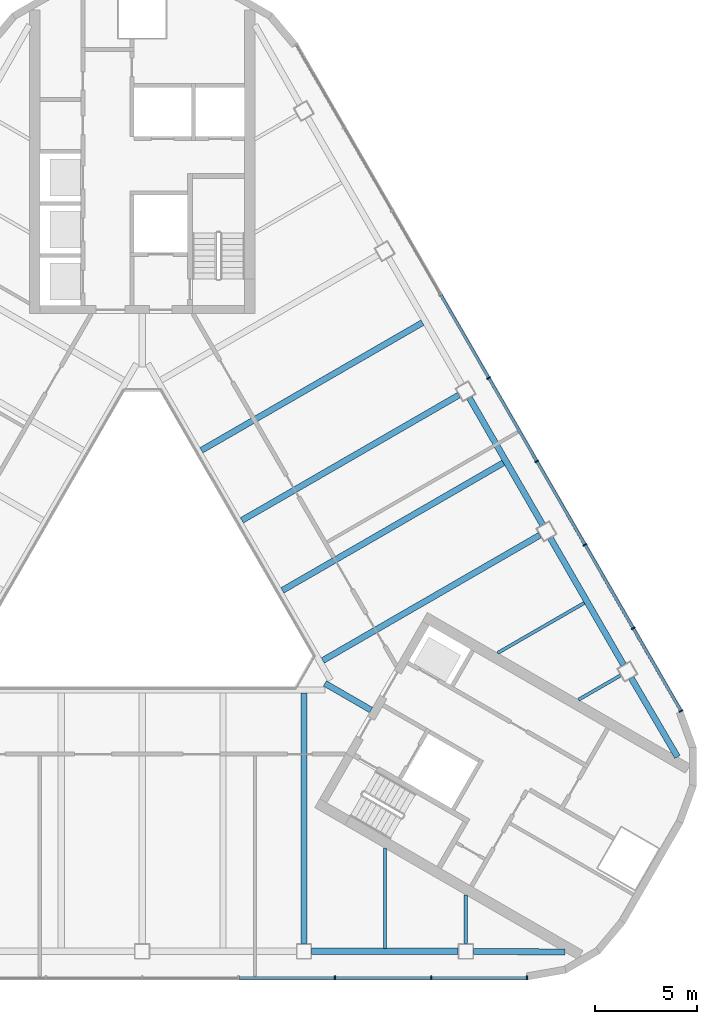
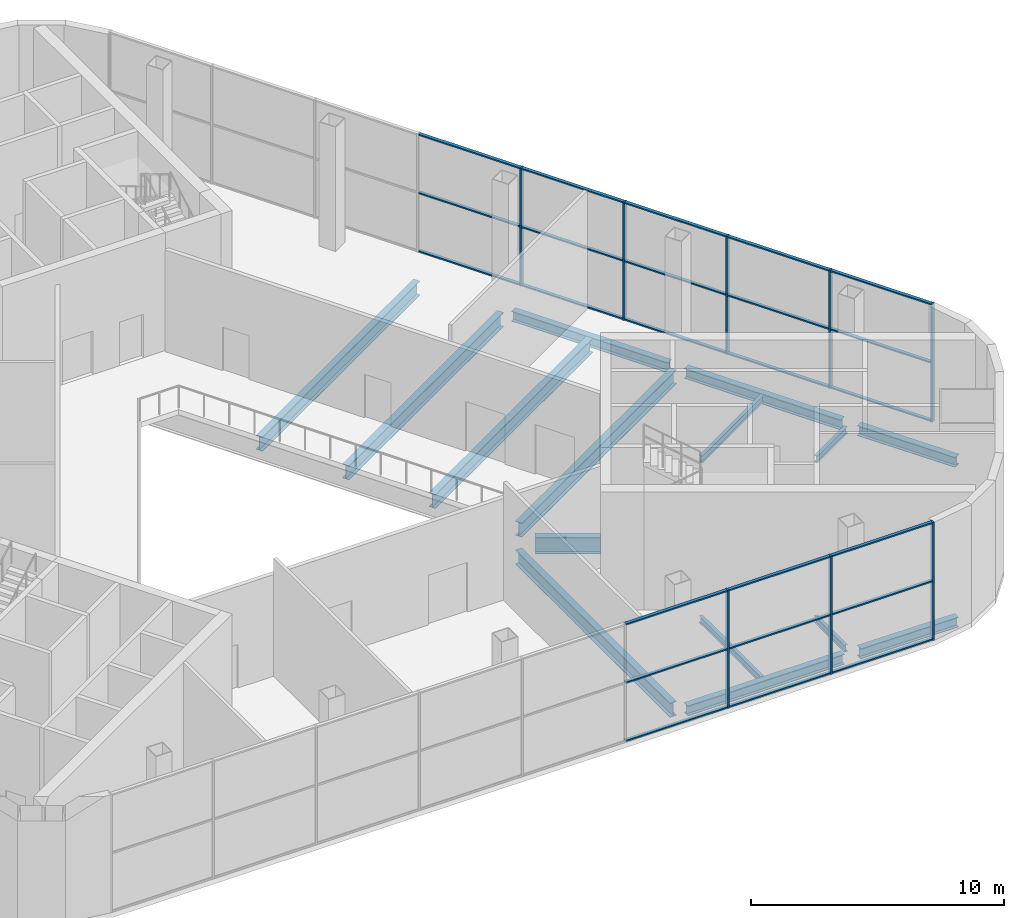
# One storey, part 4 of 14: 32 members, 15 beams, 2 elements without a shape of their own.
"""IFC4 building model written with IfcOpenShell, lengths in metres."""

from ifc_helpers import new_model, si_unit, direction, frame, origin, origin_2d, place, context, subcontext, project, spatial, rectangle, i_section, extrude, material, layer, layer_set, material_profile, profile_set, type_object, element, aggregate, save


model = new_model("IFC4")

# Units and contexts
model_context = context("Model", 3, precision=1e-05, world=origin(), true_north=direction((0.0, 1.0)))
body_context = subcontext(model_context, "Body", "Model", "MODEL_VIEW")
ifc_project = project(units=[si_unit("LENGTHUNIT", "METRE"), si_unit("AREAUNIT", "SQUARE_METRE"), si_unit("VOLUMEUNIT", "CUBIC_METRE"), si_unit("PLANEANGLEUNIT", "RADIAN"), si_unit("MASSUNIT", "GRAM", prefix="KILO")], contexts=[model_context])

# Site, building, storey
site_placement = place(None, origin())
site = spatial("IfcSite", under=ifc_project, at=site_placement, CompositionType="ELEMENT")
building_placement = place(site_placement, origin())
building = spatial("IfcBuilding", under=site, at=building_placement, Name="Apuvela Tower Hotel", CompositionType="ELEMENT")
storey_placement = place(building_placement, frame((0.0, 0.0, 231.699951171875)))
storey = spatial("IfcBuildingStorey", under=building, at=storey_placement, Name="L57", CompositionType="ELEMENT", Elevation=231.699951171875)

# Curtain wall, members
ifc_material_1 = material(Name="Aluminium 6063-T6, dark bronze anodised", Category="aluminium")
ifc_layer = layer(ifc_material_1, 0.199951171875)
ifc_layer_set = layer_set([ifc_layer], Name="ENV-CW-S")
curtain_wall_type = type_object("IfcCurtainWallType", Name="ENV-CW-S", PredefinedType="NOTDEFINED", material=ifc_layer_set)
curtain_wall_1_placement = place(storey_placement, origin())
curtain_wall_1 = element("IfcCurtainWall", 1, at=curtain_wall_1_placement, inside=storey, type_object=curtain_wall_type, Name="Curtain wall CW-S S L57", PredefinedType="NOTDEFINED")
ifc_material_profile_1 = material_profile(ifc_material_1, rectangle(XDim=0.199951171875, YDim=0.06494140625, at=origin_2d()), Name="AL 65x200")
ifc_profile_set_1 = profile_set([ifc_material_profile_1], Name="Aluminium 6063-T6, dark bronze anodised")
member_type_1 = type_object("IfcMemberType", Name="ENV-MULLION-65x200", PredefinedType="MULLION", material=ifc_profile_set_1)
member_1_placement = place(storey_placement, frame((9.407958984375, -19.530029296875, 0.0), z_axis=(0.0, 0.0, 1.0), x_axis=(0.0, 1.0, 0.0)))
member_1 = element("IfcMember", 2, at=member_1_placement, type_object=member_type_1, Name="CW-S mullion 7", PredefinedType="MULLION", context=body_context, shape_type="SweptSolid", body=[
    extrude(rectangle(XDim=0.199951171875, YDim=0.06494140625, at=origin_2d()), origin(), (0.0, 0.0, 1.0), 5.699951171875),
])
member_2_placement = place(storey_placement, frame((14.11181640625, -19.530029296875, 0.0), z_axis=(0.0, 0.0, 1.0), x_axis=(0.0, 1.0, 0.0)))
member_2 = element("IfcMember", 3, at=member_2_placement, type_object=member_type_1, Name="CW-S mullion 8", PredefinedType="MULLION", context=body_context, shape_type="SweptSolid", body=[
    extrude(rectangle(XDim=0.199951171875, YDim=0.06494140625, at=origin_2d()), origin(), (0.0, 0.0, 1.0), 5.699951171875),
])
member_3_placement = place(storey_placement, frame((18.783203125, -19.530029296875, 0.0), z_axis=(0.0, 0.0, 1.0), x_axis=(0.0, 1.0, 0.0)))
member_3 = element("IfcMember", 4, at=member_3_placement, type_object=member_type_1, Name="CW-S mullion 9", PredefinedType="MULLION", context=body_context, shape_type="SweptSolid", body=[
    extrude(rectangle(XDim=0.199951171875, YDim=0.06494140625, at=origin_2d()), origin(), (0.0, 0.0, 1.0), 5.699951171875),
])

curtain_wall_2_placement = place(storey_placement, origin())
curtain_wall_2 = element("IfcCurtainWall", 5, at=curtain_wall_2_placement, inside=storey, type_object=curtain_wall_type, Name="Curtain wall CW-S NE L57", PredefinedType="NOTDEFINED")
member_4_placement = place(storey_placement, frame((26.30517578125, -6.501953125, 0.0), z_axis=(0.0, 0.0, 1.0), x_axis=(-0.866025924721, -0.49999909771, 0.0)))
member_4 = element("IfcMember", 6, at=member_4_placement, type_object=member_type_1, Name="CW-S mullion 1", PredefinedType="MULLION", context=body_context, shape_type="SweptSolid", body=[
    extrude(rectangle(XDim=0.199951171875, YDim=0.06494140625, at=origin_2d()), origin(), (0.0, 0.0, 1.0), 5.699951171875),
])
member_5_placement = place(storey_placement, frame((23.969482421875, -2.456298828125, 0.0), z_axis=(0.0, 0.0, 1.0), x_axis=(-0.866025924721, -0.49999909771, 0.0)))
member_5 = element("IfcMember", 7, at=member_5_placement, type_object=member_type_1, Name="CW-S mullion 2", PredefinedType="MULLION", context=body_context, shape_type="SweptSolid", body=[
    extrude(rectangle(XDim=0.199951171875, YDim=0.06494140625, at=origin_2d()), origin(), (0.0, 0.0, 1.0), 5.699951171875),
])
member_6_placement = place(storey_placement, frame((21.617431640625, 1.617431640625, 0.0), z_axis=(0.0, 0.0, 1.0), x_axis=(-0.866025924721, -0.49999909771, 0.0)))
member_6 = element("IfcMember", 8, at=member_6_placement, type_object=member_type_1, Name="CW-S mullion 3", PredefinedType="MULLION", context=body_context, shape_type="SweptSolid", body=[
    extrude(rectangle(XDim=0.199951171875, YDim=0.06494140625, at=origin_2d()), origin(), (0.0, 0.0, 1.0), 5.699951171875),
])
member_7_placement = place(storey_placement, frame((19.265380859375, 5.691162109375, 0.0), z_axis=(0.0, 0.0, 1.0), x_axis=(-0.866025924721, -0.49999909771, 0.0)))
member_7 = element("IfcMember", 9, at=member_7_placement, type_object=member_type_1, Name="CW-S mullion 4", PredefinedType="MULLION", context=body_context, shape_type="SweptSolid", body=[
    extrude(rectangle(XDim=0.199951171875, YDim=0.06494140625, at=origin_2d()), origin(), (0.0, 0.0, 1.0), 5.699951171875),
])
member_8_placement = place(storey_placement, frame((16.91357421875, 9.764892578125, 0.0), z_axis=(0.0, 0.0, 1.0), x_axis=(-0.866025924721, -0.49999909771, 0.0)))
member_8 = element("IfcMember", 10, at=member_8_placement, type_object=member_type_1, Name="CW-S mullion 5", PredefinedType="MULLION", context=body_context, shape_type="SweptSolid", body=[
    extrude(rectangle(XDim=0.199951171875, YDim=0.06494140625, at=origin_2d()), origin(), (0.0, 0.0, 1.0), 5.699951171875),
])

# Member
ifc_material_profile_2 = material_profile(ifc_material_1, rectangle(XDim=0.14990234375, YDim=0.06494140625, at=origin_2d()), Name="AL 65x150 transom")
ifc_profile_set_2 = profile_set([ifc_material_profile_2], Name="Aluminium 6063-T6, dark bronze anodised")
member_type_2 = type_object("IfcMemberType", Name="ENV-TRANSOM-65x150", PredefinedType="USERDEFINED", material=ifc_profile_set_2)
member_9_placement = place(storey_placement, frame((4.736328125, -19.530029296875, 0.032470703125), z_axis=(1.0, 0.0, 0.0), x_axis=(0.0, 1.0, 0.0)))
member_9 = element("IfcMember", 11, at=member_9_placement, type_object=member_type_2, Name="CW-S transom 6.1", ObjectType="TRANSOM", PredefinedType="USERDEFINED", context=body_context, shape_type="SweptSolid", body=[
    extrude(rectangle(XDim=0.14990234375, YDim=0.06494140625, at=origin_2d()), origin(), (0.0, 0.0, 1.0), 4.63916015625),
])

member_10_placement = place(storey_placement, frame((4.736328125, -19.530029296875, 2.85009765625), z_axis=(1.0, 0.0, 0.0), x_axis=(0.0, 1.0, 0.0)))
member_10 = element("IfcMember", 12, at=member_10_placement, type_object=member_type_2, Name="CW-S transom 6.2", ObjectType="TRANSOM", PredefinedType="USERDEFINED", context=body_context, shape_type="SweptSolid", body=[
    extrude(rectangle(XDim=0.14990234375, YDim=0.06494140625, at=origin_2d()), origin(), (0.0, 0.0, 1.0), 4.63916015625),
])

member_11_placement = place(storey_placement, frame((4.736328125, -19.530029296875, 5.66748046875), z_axis=(1.0, 0.0, 0.0), x_axis=(0.0, 1.0, 0.0)))
member_11 = element("IfcMember", 13, at=member_11_placement, type_object=member_type_2, Name="CW-S transom 6.3", ObjectType="TRANSOM", PredefinedType="USERDEFINED", context=body_context, shape_type="SweptSolid", body=[
    extrude(rectangle(XDim=0.14990234375, YDim=0.06494140625, at=origin_2d()), origin(), (0.0, 0.0, 1.0), 4.63916015625),
])

member_12_placement = place(storey_placement, frame((9.4404296875, -19.530029296875, 0.032470703125), z_axis=(1.0, 0.0, 0.0), x_axis=(0.0, 1.0, 0.0)))
member_12 = element("IfcMember", 14, at=member_12_placement, type_object=member_type_2, Name="CW-S transom 7.1", ObjectType="TRANSOM", PredefinedType="USERDEFINED", context=body_context, shape_type="SweptSolid", body=[
    extrude(rectangle(XDim=0.14990234375, YDim=0.06494140625, at=origin_2d()), origin(), (0.0, 0.0, 1.0), 4.638916015625),
])

member_13_placement = place(storey_placement, frame((9.4404296875, -19.530029296875, 2.85009765625), z_axis=(1.0, 0.0, 0.0), x_axis=(0.0, 1.0, 0.0)))
member_13 = element("IfcMember", 15, at=member_13_placement, type_object=member_type_2, Name="CW-S transom 7.2", ObjectType="TRANSOM", PredefinedType="USERDEFINED", context=body_context, shape_type="SweptSolid", body=[
    extrude(rectangle(XDim=0.14990234375, YDim=0.06494140625, at=origin_2d()), origin(), (0.0, 0.0, 1.0), 4.638916015625),
])

member_14_placement = place(storey_placement, frame((9.4404296875, -19.530029296875, 5.66748046875), z_axis=(1.0, 0.0, 0.0), x_axis=(0.0, 1.0, 0.0)))
member_14 = element("IfcMember", 16, at=member_14_placement, type_object=member_type_2, Name="CW-S transom 7.3", ObjectType="TRANSOM", PredefinedType="USERDEFINED", context=body_context, shape_type="SweptSolid", body=[
    extrude(rectangle(XDim=0.14990234375, YDim=0.06494140625, at=origin_2d()), origin(), (0.0, 0.0, 1.0), 4.638916015625),
])

member_15_placement = place(storey_placement, frame((14.144287109375, -19.530029296875, 0.032470703125), z_axis=(1.0, 0.0, 0.0), x_axis=(0.0, 1.0, 0.0)))
member_15 = element("IfcMember", 17, at=member_15_placement, type_object=member_type_2, Name="CW-S transom 8.1", ObjectType="TRANSOM", PredefinedType="USERDEFINED", context=body_context, shape_type="SweptSolid", body=[
    extrude(rectangle(XDim=0.14990234375, YDim=0.06494140625, at=origin_2d()), origin(), (0.0, 0.0, 1.0), 4.6064453125),
])

member_16_placement = place(storey_placement, frame((14.144287109375, -19.530029296875, 2.85009765625), z_axis=(1.0, 0.0, 0.0), x_axis=(0.0, 1.0, 0.0)))
member_16 = element("IfcMember", 18, at=member_16_placement, type_object=member_type_2, Name="CW-S transom 8.2", ObjectType="TRANSOM", PredefinedType="USERDEFINED", context=body_context, shape_type="SweptSolid", body=[
    extrude(rectangle(XDim=0.14990234375, YDim=0.06494140625, at=origin_2d()), origin(), (0.0, 0.0, 1.0), 4.6064453125),
])

member_17_placement = place(storey_placement, frame((14.144287109375, -19.530029296875, 5.66748046875), z_axis=(1.0, 0.0, 0.0), x_axis=(0.0, 1.0, 0.0)))
member_17 = element("IfcMember", 19, at=member_17_placement, type_object=member_type_2, Name="CW-S transom 8.3", ObjectType="TRANSOM", PredefinedType="USERDEFINED", context=body_context, shape_type="SweptSolid", body=[
    extrude(rectangle(XDim=0.14990234375, YDim=0.06494140625, at=origin_2d()), origin(), (0.0, 0.0, 1.0), 4.6064453125),
])

aggregate(curtain_wall_1, [member_1, member_2, member_3, member_9, member_10, member_11, member_12, member_13, member_14, member_15, member_16, member_17])

member_18_placement = place(storey_placement, frame((26.288818359375, -6.4736328125, 0.032470703125), z_axis=(-0.500003839917, 0.866023186796, 0.0), x_axis=(-0.866023186796, -0.500003839917, 0.0)))
member_18 = element("IfcMember", 20, at=member_18_placement, type_object=member_type_2, Name="CW-S transom 1.1", ObjectType="TRANSOM", PredefinedType="USERDEFINED", context=body_context, shape_type="SweptSolid", body=[
    extrude(rectangle(XDim=0.14990234375, YDim=0.06494140625, at=origin_2d()), origin(), (0.0, 0.0, 1.0), 4.6064453125),
])

member_19_placement = place(storey_placement, frame((26.288818359375, -6.4736328125, 2.85009765625), z_axis=(-0.500003839917, 0.866023186796, 0.0), x_axis=(-0.866023186796, -0.500003839917, 0.0)))
member_19 = element("IfcMember", 21, at=member_19_placement, type_object=member_type_2, Name="CW-S transom 1.2", ObjectType="TRANSOM", PredefinedType="USERDEFINED", context=body_context, shape_type="SweptSolid", body=[
    extrude(rectangle(XDim=0.14990234375, YDim=0.06494140625, at=origin_2d()), origin(), (0.0, 0.0, 1.0), 4.6064453125),
])

member_20_placement = place(storey_placement, frame((26.288818359375, -6.4736328125, 5.66748046875), z_axis=(-0.500003839917, 0.866023186796, 0.0), x_axis=(-0.866023186796, -0.500003839917, 0.0)))
member_20 = element("IfcMember", 22, at=member_20_placement, type_object=member_type_2, Name="CW-S transom 1.3", ObjectType="TRANSOM", PredefinedType="USERDEFINED", context=body_context, shape_type="SweptSolid", body=[
    extrude(rectangle(XDim=0.14990234375, YDim=0.06494140625, at=origin_2d()), origin(), (0.0, 0.0, 1.0), 4.6064453125),
])

member_21_placement = place(storey_placement, frame((23.953125, -2.42822265625, 0.032470703125), z_axis=(-0.49996542187, 0.866045366557, 0.0), x_axis=(-0.866045366557, -0.49996542187, 0.0)))
member_21 = element("IfcMember", 23, at=member_21_placement, type_object=member_type_2, Name="CW-S transom 2.1", ObjectType="TRANSOM", PredefinedType="USERDEFINED", context=body_context, shape_type="SweptSolid", body=[
    extrude(rectangle(XDim=0.14990234375, YDim=0.06494140625, at=origin_2d()), origin(), (0.0, 0.0, 1.0), 4.638916015625),
])

member_22_placement = place(storey_placement, frame((23.953125, -2.42822265625, 2.85009765625), z_axis=(-0.49996542187, 0.866045366557, 0.0), x_axis=(-0.866045366557, -0.49996542187, 0.0)))
member_22 = element("IfcMember", 24, at=member_22_placement, type_object=member_type_2, Name="CW-S transom 2.2", ObjectType="TRANSOM", PredefinedType="USERDEFINED", context=body_context, shape_type="SweptSolid", body=[
    extrude(rectangle(XDim=0.14990234375, YDim=0.06494140625, at=origin_2d()), origin(), (0.0, 0.0, 1.0), 4.638916015625),
])

member_23_placement = place(storey_placement, frame((23.953125, -2.42822265625, 5.66748046875), z_axis=(-0.49996542187, 0.866045366557, 0.0), x_axis=(-0.866045366557, -0.49996542187, 0.0)))
member_23 = element("IfcMember", 25, at=member_23_placement, type_object=member_type_2, Name="CW-S transom 2.3", ObjectType="TRANSOM", PredefinedType="USERDEFINED", context=body_context, shape_type="SweptSolid", body=[
    extrude(rectangle(XDim=0.14990234375, YDim=0.06494140625, at=origin_2d()), origin(), (0.0, 0.0, 1.0), 4.638916015625),
])

member_24_placement = place(storey_placement, frame((21.601318359375, 1.645751953125, 0.032470703125), z_axis=(-0.500027682067, 0.866009420946, 0.0), x_axis=(-0.866009420946, -0.500027682067, 0.0)))
member_24 = element("IfcMember", 26, at=member_24_placement, type_object=member_type_2, Name="CW-S transom 3.1", ObjectType="TRANSOM", PredefinedType="USERDEFINED", context=body_context, shape_type="SweptSolid", body=[
    extrude(rectangle(XDim=0.14990234375, YDim=0.06494140625, at=origin_2d()), origin(), (0.0, 0.0, 1.0), 4.638916015625),
])

member_25_placement = place(storey_placement, frame((21.601318359375, 1.645751953125, 2.85009765625), z_axis=(-0.500027682067, 0.866009420946, 0.0), x_axis=(-0.866009420946, -0.500027682067, 0.0)))
member_25 = element("IfcMember", 27, at=member_25_placement, type_object=member_type_2, Name="CW-S transom 3.2", ObjectType="TRANSOM", PredefinedType="USERDEFINED", context=body_context, shape_type="SweptSolid", body=[
    extrude(rectangle(XDim=0.14990234375, YDim=0.06494140625, at=origin_2d()), origin(), (0.0, 0.0, 1.0), 4.638916015625),
])

member_26_placement = place(storey_placement, frame((21.601318359375, 1.645751953125, 5.66748046875), z_axis=(-0.500027682067, 0.866009420946, 0.0), x_axis=(-0.866009420946, -0.500027682067, 0.0)))
member_26 = element("IfcMember", 28, at=member_26_placement, type_object=member_type_2, Name="CW-S transom 3.3", ObjectType="TRANSOM", PredefinedType="USERDEFINED", context=body_context, shape_type="SweptSolid", body=[
    extrude(rectangle(XDim=0.14990234375, YDim=0.06494140625, at=origin_2d()), origin(), (0.0, 0.0, 1.0), 4.638916015625),
])

member_27_placement = place(storey_placement, frame((19.249267578125, 5.719482421875, 0.032470703125), z_axis=(-0.500027682067, 0.866009420946, 0.0), x_axis=(-0.866009420946, -0.500027682067, 0.0)))
member_27 = element("IfcMember", 29, at=member_27_placement, type_object=member_type_2, Name="CW-S transom 4.1", ObjectType="TRANSOM", PredefinedType="USERDEFINED", context=body_context, shape_type="SweptSolid", body=[
    extrude(rectangle(XDim=0.14990234375, YDim=0.06494140625, at=origin_2d()), origin(), (0.0, 0.0, 1.0), 4.638916015625),
])

member_28_placement = place(storey_placement, frame((19.249267578125, 5.719482421875, 2.85009765625), z_axis=(-0.500027682067, 0.866009420946, 0.0), x_axis=(-0.866009420946, -0.500027682067, 0.0)))
member_28 = element("IfcMember", 30, at=member_28_placement, type_object=member_type_2, Name="CW-S transom 4.2", ObjectType="TRANSOM", PredefinedType="USERDEFINED", context=body_context, shape_type="SweptSolid", body=[
    extrude(rectangle(XDim=0.14990234375, YDim=0.06494140625, at=origin_2d()), origin(), (0.0, 0.0, 1.0), 4.638916015625),
])

member_29_placement = place(storey_placement, frame((19.249267578125, 5.719482421875, 5.66748046875), z_axis=(-0.500027682067, 0.866009420946, 0.0), x_axis=(-0.866009420946, -0.500027682067, 0.0)))
member_29 = element("IfcMember", 31, at=member_29_placement, type_object=member_type_2, Name="CW-S transom 4.3", ObjectType="TRANSOM", PredefinedType="USERDEFINED", context=body_context, shape_type="SweptSolid", body=[
    extrude(rectangle(XDim=0.14990234375, YDim=0.06494140625, at=origin_2d()), origin(), (0.0, 0.0, 1.0), 4.638916015625),
])

member_30_placement = place(storey_placement, frame((16.897216796875, 9.793212890625, 0.032470703125), z_axis=(-0.499988210251, 0.866032210492, 0.0), x_axis=(-0.866032210492, -0.499988210251, 0.0)))
member_30 = element("IfcMember", 32, at=member_30_placement, type_object=member_type_2, Name="CW-S transom 5.1", ObjectType="TRANSOM", PredefinedType="USERDEFINED", context=body_context, shape_type="SweptSolid", body=[
    extrude(rectangle(XDim=0.14990234375, YDim=0.06494140625, at=origin_2d()), origin(), (0.0, 0.0, 1.0), 4.638671875),
])

member_31_placement = place(storey_placement, frame((16.897216796875, 9.793212890625, 2.85009765625), z_axis=(-0.499988210251, 0.866032210492, 0.0), x_axis=(-0.866032210492, -0.499988210251, 0.0)))
member_31 = element("IfcMember", 33, at=member_31_placement, type_object=member_type_2, Name="CW-S transom 5.2", ObjectType="TRANSOM", PredefinedType="USERDEFINED", context=body_context, shape_type="SweptSolid", body=[
    extrude(rectangle(XDim=0.14990234375, YDim=0.06494140625, at=origin_2d()), origin(), (0.0, 0.0, 1.0), 4.638671875),
])

member_32_placement = place(storey_placement, frame((16.897216796875, 9.793212890625, 5.66748046875), z_axis=(-0.499988210251, 0.866032210492, 0.0), x_axis=(-0.866032210492, -0.499988210251, 0.0)))
member_32 = element("IfcMember", 34, at=member_32_placement, type_object=member_type_2, Name="CW-S transom 5.3", ObjectType="TRANSOM", PredefinedType="USERDEFINED", context=body_context, shape_type="SweptSolid", body=[
    extrude(rectangle(XDim=0.14990234375, YDim=0.06494140625, at=origin_2d()), origin(), (0.0, 0.0, 1.0), 4.638671875),
])

aggregate(curtain_wall_2, [member_4, member_5, member_6, member_7, member_8, member_18, member_19, member_20, member_21, member_22, member_23, member_24, member_25, member_26, member_27, member_28, member_29, member_30, member_31, member_32])

# Beams
ifc_material_2 = material(Name="Steel S355", Category="steel")
ifc_material_profile_3 = material_profile(ifc_material_2, i_section(OverallWidth=0.300048828125, OverallDepth=0.68994140625, WebThickness=0.014404296875, FlangeThickness=0.027099609375, at=origin_2d()), Name="HE 700 A")
ifc_profile_set_3 = profile_set([ifc_material_profile_3], Name="Steel S355")
beam_type_1 = type_object("IfcBeamType", Name="STR-B floor beam HE 700 A", PredefinedType="BEAM", material=ifc_profile_set_3)
beam_1_placement = place(storey_placement, frame((19.412841796875, 2.0859375, -0.594970703125), z_axis=(-0.866025418325, -0.499999974815, 0.0), x_axis=(0.499999974815, -0.866025418325, 0.0)))
element("IfcBeam", 35, at=beam_1_placement, inside=storey, type_object=beam_type_1, Name="Floor beam B6 NE3", PredefinedType="BEAM", context=body_context, shape_type="SweptSolid", body=[
    extrude(i_section(OverallWidth=0.300048828125, OverallDepth=0.68994140625, WebThickness=0.014404296875, FlangeThickness=0.027099609375, at=origin_2d()), origin(), (0.0, 0.0, 1.0), 12.23486328125),
])
beam_2_placement = place(storey_placement, frame((17.6328125, 5.619140625, -0.594970703125), z_axis=(-0.866027987673, -0.499995524547, 0.0), x_axis=(0.499995524547, -0.866027987673, 0.0)))
element("IfcBeam", 36, at=beam_2_placement, inside=storey, type_object=beam_type_1, Name="Floor beam B6 NE4", PredefinedType="BEAM", context=body_context, shape_type="SweptSolid", body=[
    extrude(i_section(OverallWidth=0.300048828125, OverallDepth=0.68994140625, WebThickness=0.014404296875, FlangeThickness=0.027099609375, at=origin_2d()), origin(), (0.0, 0.0, 1.0), 12.4599609375),
])
beam_3_placement = place(storey_placement, frame((15.462890625, 8.927490234375, -0.594970703125), z_axis=(-0.866025418325, -0.499999974815, 0.0), x_axis=(0.499999974815, -0.866025418325, 0.0)))
element("IfcBeam", 37, at=beam_3_placement, inside=storey, type_object=beam_type_1, Name="Floor beam B6 NE5", PredefinedType="BEAM", context=body_context, shape_type="SweptSolid", body=[
    extrude(i_section(OverallWidth=0.300048828125, OverallDepth=0.68994140625, WebThickness=0.014404296875, FlangeThickness=0.027099609375, at=origin_2d()), origin(), (0.0, 0.0, 1.0), 12.23486328125),
])
beam_4_placement = place(storey_placement, frame((13.6826171875, 12.460693359375, -0.594970703125), z_axis=(-0.866023089177, -0.500004008996, 0.0), x_axis=(0.500004008996, -0.866023089177, 0.0)))
element("IfcBeam", 38, at=beam_4_placement, inside=storey, type_object=beam_type_1, Name="Floor beam B6 NE6", PredefinedType="BEAM", context=body_context, shape_type="SweptSolid", body=[
    extrude(i_section(OverallWidth=0.300048828125, OverallDepth=0.68994140625, WebThickness=0.014404296875, FlangeThickness=0.027099609375, at=origin_2d()), origin(), (0.0, 0.0, 1.0), 12.4599609375),
])
beam_5_placement = place(storey_placement, frame((7.89990234375, -17.85498046875, -0.594970703125), z_axis=(0.0, 1.0, 0.0), x_axis=(-1.0, 0.0, 0.0)))
element("IfcBeam", 39, at=beam_5_placement, inside=storey, type_object=beam_type_1, Name="Floor beam B6 S7", PredefinedType="BEAM", context=body_context, shape_type="SweptSolid", body=[
    extrude(i_section(OverallWidth=0.300048828125, OverallDepth=0.68994140625, WebThickness=0.014404296875, FlangeThickness=0.027099609375, at=origin_2d()), origin(), (0.0, 0.0, 1.0), 12.23486328125),
])
ifc_material_profile_4 = material_profile(ifc_material_2, i_section(OverallWidth=0.159912109375, OverallDepth=0.330078125, WebThickness=0.007568359375, FlangeThickness=0.011474609375, at=origin_2d()), Name="IPE 330")
ifc_profile_set_4 = profile_set([ifc_material_profile_4], Name="Steel S355")
beam_type_2 = type_object("IfcBeamType", Name="STR-B floor beam IPE 330", PredefinedType="BEAM", material=ifc_profile_set_4)
beam_6_placement = place(storey_placement, frame((23.36279296875, -4.755615234375, -0.4150390625), z_axis=(-0.865982457891, -0.500074377092, 0.0), x_axis=(0.500074377092, -0.865982457891, 0.0)))
element("IfcBeam", 40, at=beam_6_placement, inside=storey, type_object=beam_type_2, Name="Floor beam B1 NE1", PredefinedType="BEAM", context=body_context, shape_type="SweptSolid", body=[
    extrude(i_section(OverallWidth=0.159912109375, OverallDepth=0.330078125, WebThickness=0.007568359375, FlangeThickness=0.011474609375, at=origin_2d()), origin(), (0.0, 0.0, 1.0), 2.382080078125),
])
beam_7_placement = place(storey_placement, frame((21.582763671875, -1.222412109375, -0.4150390625), z_axis=(-0.866015056278, -0.500017921979, 0.0), x_axis=(0.500017921979, -0.866015056278, 0.0)))
element("IfcBeam", 41, at=beam_7_placement, inside=storey, type_object=beam_type_2, Name="Floor beam B1 NE2", PredefinedType="BEAM", context=body_context, shape_type="SweptSolid", body=[
    extrude(i_section(OverallWidth=0.159912109375, OverallDepth=0.330078125, WebThickness=0.007568359375, FlangeThickness=0.011474609375, at=origin_2d()), origin(), (0.0, 0.0, 1.0), 4.887451171875),
])
beam_8_placement = place(storey_placement, frame((11.85009765625, -18.080078125, -0.4150390625), z_axis=(0.0, 1.0, 0.0), x_axis=(-1.0, 0.0, 0.0)))
element("IfcBeam", 42, at=beam_8_placement, inside=storey, type_object=beam_type_2, Name="Floor beam B1 S8", PredefinedType="BEAM", context=body_context, shape_type="SweptSolid", body=[
    extrude(i_section(OverallWidth=0.159912109375, OverallDepth=0.330078125, WebThickness=0.007568359375, FlangeThickness=0.011474609375, at=origin_2d()), origin(), (0.0, 0.0, 1.0), 4.8876953125),
])
beam_9_placement = place(storey_placement, frame((15.800048828125, -17.85498046875, -0.4150390625), z_axis=(0.0, 1.0, 0.0), x_axis=(-1.0, 0.0, 0.0)))
element("IfcBeam", 43, at=beam_9_placement, inside=storey, type_object=beam_type_2, Name="Floor beam B1 S9", PredefinedType="BEAM", context=body_context, shape_type="SweptSolid", body=[
    extrude(i_section(OverallWidth=0.159912109375, OverallDepth=0.330078125, WebThickness=0.007568359375, FlangeThickness=0.011474609375, at=origin_2d()), origin(), (0.0, 0.0, 1.0), 2.382080078125),
])
ifc_material_profile_5 = material_profile(ifc_material_2, i_section(OverallWidth=0.300048828125, OverallDepth=0.800048828125, WebThickness=0.017578125, FlangeThickness=0.032958984375, at=origin_2d()), Name="HE 800 B")
ifc_profile_set_5 = profile_set([ifc_material_profile_5], Name="Steel S355")
beam_type_3 = type_object("IfcBeamType", Name="STR-GT core tie beam HE 800 B", PredefinedType="BEAM", material=ifc_profile_set_5)
beam_10_placement = place(storey_placement, frame((11.171630859375, -6.449951171875, -0.64990234375), z_axis=(-0.865997922154, 0.500047596559, 0.0), x_axis=(-0.500047596559, -0.865997922154, 0.0)))
element("IfcBeam", 44, at=beam_10_placement, inside=storey, type_object=beam_type_3, Name="Core tie beam GT1 SE", PredefinedType="BEAM", context=body_context, shape_type="SweptSolid", body=[
    extrude(i_section(OverallWidth=0.300048828125, OverallDepth=0.800048828125, WebThickness=0.017578125, FlangeThickness=0.032958984375, at=origin_2d()), origin(), (0.0, 0.0, 1.0), 2.599853515625),
])
ifc_material_profile_6 = material_profile(ifc_material_2, i_section(OverallWidth=0.300048828125, OverallDepth=0.489990234375, WebThickness=0.011962890625, FlangeThickness=0.02294921875, at=origin_2d()), Name="HE 500 A")
ifc_profile_set_6 = profile_set([ifc_material_profile_6], Name="Steel S355")
beam_type_4 = type_object("IfcBeamType", Name="STR-SB spandrel beam HE 500 A", PredefinedType="SPANDREL", material=ifc_profile_set_6)
beam_11_placement = place(storey_placement, frame((8.27490234375, -18.22998046875, -0.494873046875), z_axis=(1.0, 0.0, 0.0), x_axis=(0.0, 1.0, 0.0)))
element("IfcBeam", 45, at=beam_11_placement, inside=storey, type_object=beam_type_4, Name="Spandrel beam SB3 S4", PredefinedType="SPANDREL", context=body_context, shape_type="SweptSolid", body=[
    extrude(i_section(OverallWidth=0.300048828125, OverallDepth=0.489990234375, WebThickness=0.011962890625, FlangeThickness=0.02294921875, at=origin_2d()), origin(), (0.0, 0.0, 1.0), 7.150146484375),
])
beam_12_placement = place(storey_placement, frame((23.5, -4.243408203125, -0.494873046875), z_axis=(-0.500006209673, 0.866021818598, 0.0), x_axis=(-0.866021818598, -0.500006209673, 0.0)))
element("IfcBeam", 46, at=beam_12_placement, inside=storey, type_object=beam_type_4, Name="Spandrel beam SB3 NE1", PredefinedType="SPANDREL", context=body_context, shape_type="SweptSolid", body=[
    extrude(i_section(OverallWidth=0.300048828125, OverallDepth=0.489990234375, WebThickness=0.011962890625, FlangeThickness=0.02294921875, at=origin_2d()), origin(), (0.0, 0.0, 1.0), 7.14990234375),
])
beam_13_placement = place(storey_placement, frame((19.550048828125, 2.59814453125, -0.494873046875), z_axis=(-0.499991424076, 0.86603035504, 0.0), x_axis=(-0.86603035504, -0.499991424076, 0.0)))
element("IfcBeam", 47, at=beam_13_placement, inside=storey, type_object=beam_type_4, Name="Spandrel beam SB3 NE2", PredefinedType="SPANDREL", context=body_context, shape_type="SweptSolid", body=[
    extrude(i_section(OverallWidth=0.300048828125, OverallDepth=0.489990234375, WebThickness=0.011962890625, FlangeThickness=0.02294921875, at=origin_2d()), origin(), (0.0, 0.0, 1.0), 7.150146484375),
])
for number, where, z_axis, x_axis, name in (
    (48, (16.175048828125, -18.232666015625, -0.494873046875), (0.999976567383, -0.006845778571, 0.0), (0.006845778571, 0.999976567383, 0.0), "Spandrel beam SB3 S5-SE"),
    (49, (23.87744140625, -4.8916015625, -0.494873046875), (0.505933122104, -0.862572707636, 0.0), (0.862572707636, 0.505933122104, 0.0), "Spandrel beam SB3 NE1-SE"),
):
    element("IfcBeam", number, at=place(storey_placement, frame(where, z_axis=z_axis, x_axis=x_axis)), inside=storey, type_object=beam_type_4, Name=name, PredefinedType="SPANDREL", context=body_context, shape_type="SweptSolid", body=[
        extrude(i_section(OverallWidth=0.300048828125, OverallDepth=0.489990234375, WebThickness=0.011962890625, FlangeThickness=0.02294921875, at=origin_2d()), origin(), (0.0, 0.0, 1.0), 4.457763671875),
    ])

save(model, "model.ifc")
